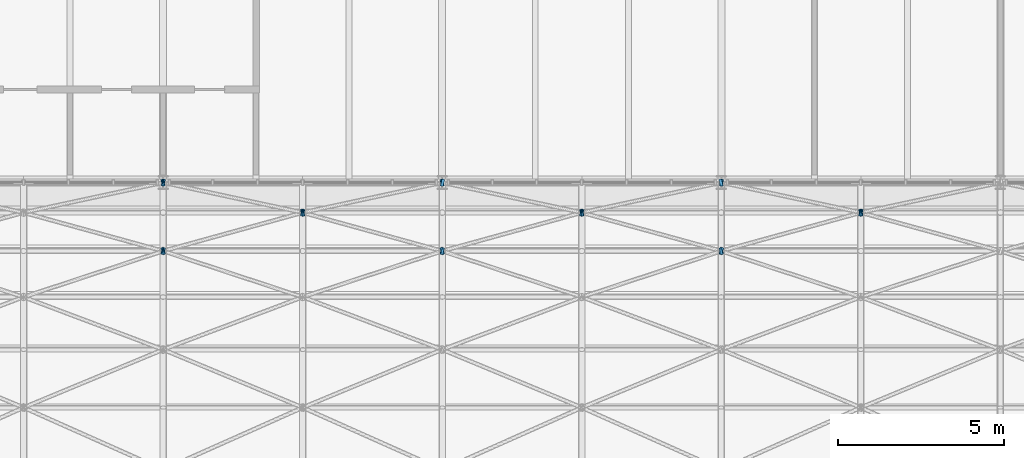
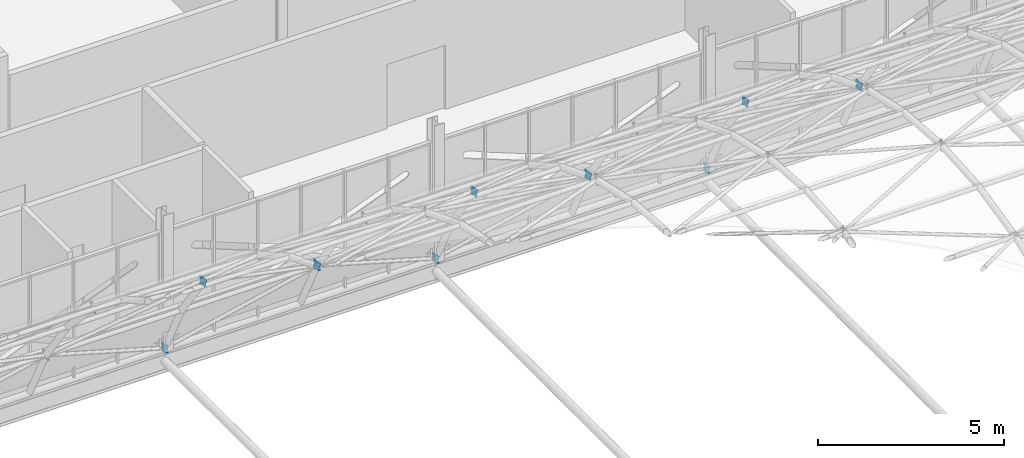
# One storey, part 115 of 121: 30 discrete accessories.
"""IFC4 building model written with IfcOpenShell, lengths in metres."""

from ifc_helpers import new_model, si_unit, direction, frame, origin, origin_2d, place, context, subcontext, project, spatial, rectangle, extrude, material, material_profile, profile_set, type_object, element, save


model = new_model("IFC4")

# Units and contexts
model_context = context("Model", 3, precision=1e-05, world=origin(), true_north=direction((0.0, 1.0)))
body_context = subcontext(model_context, "Body", "Model", "MODEL_VIEW")
ifc_project = project(units=[si_unit("LENGTHUNIT", "METRE"), si_unit("AREAUNIT", "SQUARE_METRE"), si_unit("VOLUMEUNIT", "CUBIC_METRE"), si_unit("PLANEANGLEUNIT", "RADIAN"), si_unit("MASSUNIT", "GRAM", prefix="KILO")], contexts=[model_context])

# Site, building, storey
site_placement = place(None, origin())
site = spatial("IfcSite", under=ifc_project, at=site_placement, CompositionType="ELEMENT")
building_placement = place(site_placement, origin())
building = spatial("IfcBuilding", under=site, at=building_placement, Name="Ardhachandra Cancer Care Centre", CompositionType="ELEMENT")
storey_placement = place(building_placement, frame((0.0, 0.0, 9.0)))
storey = spatial("IfcBuildingStorey", under=building, at=storey_placement, Name="L02", CompositionType="ELEMENT", Elevation=9.0)

# Discrete accessories
ifc_material = material(Name="Steel E250 (IS 2062)", Category="steel")
ifc_material_profile = material_profile(ifc_material, rectangle(XDim=0.21435546875, YDim=0.21435546875, at=origin_2d()), Name="PL 214x214x12")
ifc_profile_set = profile_set([ifc_material_profile], Name="Steel E250 (IS 2062)")
discrete_accessory_type = type_object("IfcDiscreteAccessoryType", Name="Diagonal end plate 214 x 214 x 12", PredefinedType="BRACKET", material=ifc_profile_set)
for number, where, z_axis, x_axis, name in (
    (1, (78.0, 77.738037109375, 3.426025390625), (-0.900777348936, -0.307083187137, 0.307083187137), (0.322673927788, -0.946510188179, 0.0), "Diagonal end plate Hall shell diagonal 07-13 2"),
    (2, (78.0, 77.738037109375, 3.426025390625), (-0.904003571195, 0.246546428508, -0.349274107053), (-0.263117405792, -0.964763821238, 0.0), "Diagonal end plate Hall shell diagonal 08-14 1"),
    (3, (78.0, 79.800048828125, 0.0), (-0.898708107226, -0.204251842551, 0.388078500848), (0.221621103589, -0.975132855791, 0.0), "Diagonal end plate Hall shell diagonal 07-15 2"),
    (4, (78.0, 77.738037109375, 3.426025390625), (0.900777348936, -0.307083187137, 0.307083187137), (0.322673927788, 0.946510188179, 0.0), "Diagonal end plate Hall shell diagonal 09-13 2"),
    (5, (78.0, 77.738037109375, 3.426025390625), (0.904003571195, 0.246546428508, -0.349274107053), (-0.263117405792, 0.964763821238, 0.0), "Diagonal end plate Hall shell diagonal 08-14 1"),
    (6, (82.199951171875, 78.89501953125, 1.788818359375), (-0.897398718093, -0.244745104934, 0.367117657402), (0.263117405792, -0.964763821238, 0.0), "Diagonal end plate Hall shell diagonal 08-14 2"),
    (7, (82.199951171875, 78.89501953125, 1.788818359375), (-0.905725666552, 0.205846742398, -0.370524136317), (-0.221621103589, -0.975132855791, 0.0), "Diagonal end plate Hall shell diagonal 09-15 1"),
    (8, (78.0, 79.800048828125, 0.0), (0.898708107226, -0.204251842551, 0.388078500848), (0.221621103589, 0.975132855791, 0.0), "Diagonal end plate Hall shell diagonal 09-15 2"),
    (9, (86.39990234375, 77.738037109375, 3.426025390625), (-0.900777348936, -0.307083187137, 0.307083187137), (0.322673927788, -0.946510188179, 0.0), "Diagonal end plate Hall shell diagonal 09-13 2"),
    (10, (86.39990234375, 77.738037109375, 3.426025390625), (-0.904003571195, 0.246546428508, -0.349274107053), (-0.263117405792, -0.964763821238, 0.0), "Diagonal end plate Hall shell diagonal 10-14 1"),
):
    element("IfcDiscreteAccessory", number, at=place(storey_placement, frame(where, z_axis=z_axis, x_axis=x_axis)), inside=storey, type_object=discrete_accessory_type, Name=name, PredefinedType="BRACKET", context=body_context, shape_type="SweptSolid", body=[
        extrude(rectangle(XDim=0.21435546875, YDim=0.21435546875, at=origin_2d()), origin(), (0.0, 0.0, 1.0), 0.011962890625),
    ])
discrete_accessory_1_placement = place(storey_placement, frame((82.199951171875, 78.89501953125, 1.788818359375), z_axis=(0.901262652189, -0.24033670725, 0.360505060876), x_axis=(0.25766265056, 0.966234939601, 0.0)))
element("IfcDiscreteAccessory", 11, at=discrete_accessory_1_placement, inside=storey, type_object=discrete_accessory_type, Name="Diagonal end plate Hall shell diagonal 10-14 2", PredefinedType="BRACKET", context=body_context, shape_type="SweptSolid", body=[
    extrude(rectangle(XDim=0.21435546875, YDim=0.21435546875, at=origin_2d()), origin(), (0.0, 0.0, 1.0), 0.01220703125),
])
for number, where, z_axis, x_axis, name in (
    (12, (82.199951171875, 78.89501953125, 1.788818359375), (0.909322885136, 0.202071752252, -0.363729154054), (-0.216930457819, 0.976187060184, 0.0), "Diagonal end plate Hall shell diagonal 09-15 1"),
    (13, (86.39990234375, 79.800048828125, 0.0), (-0.898708107226, -0.204251842551, 0.388078500848), (0.221621103589, -0.975132855791, 0.0), "Diagonal end plate Hall shell diagonal 09-15 2"),
):
    element("IfcDiscreteAccessory", number, at=place(storey_placement, frame(where, z_axis=z_axis, x_axis=x_axis)), inside=storey, type_object=discrete_accessory_type, Name=name, PredefinedType="BRACKET", context=body_context, shape_type="SweptSolid", body=[
        extrude(rectangle(XDim=0.21435546875, YDim=0.21435546875, at=origin_2d()), origin(), (0.0, 0.0, 1.0), 0.011962890625),
    ])
for number, where, z_axis, x_axis, name in (
    (14, (86.39990234375, 77.738037109375, 3.426025390625), (0.904534033733, -0.301511344578, 0.301511344578), (0.316227766017, 0.948683298051, 0.0), "Diagonal end plate Hall shell diagonal 11-13 2"),
    (15, (86.39990234375, 77.738037109375, 3.426025390625), (0.907656609489, 0.24204176253, -0.342892496918), (-0.25766265056, 0.966234939601, 0.0), "Diagonal end plate Hall shell diagonal 10-14 1"),
    (16, (90.60009765625, 78.89501953125, 1.788818359375), (-0.901262652189, -0.24033670725, 0.360505060876), (0.25766265056, -0.966234939601, 0.0), "Diagonal end plate Hall shell diagonal 10-14 2"),
):
    element("IfcDiscreteAccessory", number, at=place(storey_placement, frame(where, z_axis=z_axis, x_axis=x_axis)), inside=storey, type_object=discrete_accessory_type, Name=name, PredefinedType="BRACKET", context=body_context, shape_type="SweptSolid", body=[
        extrude(rectangle(XDim=0.21435546875, YDim=0.21435546875, at=origin_2d()), origin(), (0.0, 0.0, 1.0), 0.01220703125),
    ])
discrete_accessory_2_placement = place(storey_placement, frame((90.60009765625, 78.89501953125, 1.788818359375), z_axis=(-0.909322885136, 0.202071752252, -0.363729154054), x_axis=(-0.216930457819, -0.976187060184, 0.0)))
element("IfcDiscreteAccessory", 17, at=discrete_accessory_2_placement, inside=storey, type_object=discrete_accessory_type, Name="Diagonal end plate Hall shell diagonal 11-15 1", PredefinedType="BRACKET", context=body_context, shape_type="SweptSolid", body=[
    extrude(rectangle(XDim=0.21435546875, YDim=0.21435546875, at=origin_2d()), origin(), (0.0, 0.0, 1.0), 0.011962890625),
])
for number, where, z_axis, x_axis, name in (
    (18, (86.39990234375, 79.800048828125, 0.0), (0.902530633635, -0.20056236303, 0.381068489757), (0.216930457819, 0.976187060184, 0.0), "Diagonal end plate Hall shell diagonal 11-15 2"),
    (19, (94.800048828125, 77.738037109375, 3.426025390625), (-0.904534033733, -0.301511344578, 0.301511344578), (0.316227766017, -0.948683298051, 0.0), "Diagonal end plate Hall shell diagonal 11-13 2"),
    (20, (94.800048828125, 77.738037109375, 3.426025390625), (-0.907656609489, 0.24204176253, -0.342892496918), (-0.25766265056, -0.966234939601, 0.0), "Diagonal end plate Hall shell diagonal 12-14 1"),
):
    element("IfcDiscreteAccessory", number, at=place(storey_placement, frame(where, z_axis=z_axis, x_axis=x_axis)), inside=storey, type_object=discrete_accessory_type, Name=name, PredefinedType="BRACKET", context=body_context, shape_type="SweptSolid", body=[
        extrude(rectangle(XDim=0.21435546875, YDim=0.21435546875, at=origin_2d()), origin(), (0.0, 0.0, 1.0), 0.01220703125),
    ])
for number, where, z_axis, x_axis, name in (
    (21, (90.60009765625, 78.89501953125, 1.788818359375), (0.897398718093, -0.244745104934, 0.367117657402), (0.263117405792, 0.964763821238, 0.0), "Diagonal end plate Hall shell diagonal 12-14 2"),
    (22, (90.60009765625, 78.89501953125, 1.788818359375), (0.905725666552, 0.205846742398, -0.370524136317), (-0.221621103589, 0.975132855791, 0.0), "Diagonal end plate Hall shell diagonal 11-15 1"),
):
    element("IfcDiscreteAccessory", number, at=place(storey_placement, frame(where, z_axis=z_axis, x_axis=x_axis)), inside=storey, type_object=discrete_accessory_type, Name=name, PredefinedType="BRACKET", context=body_context, shape_type="SweptSolid", body=[
        extrude(rectangle(XDim=0.21435546875, YDim=0.21435546875, at=origin_2d()), origin(), (0.0, 0.0, 1.0), 0.011962890625),
    ])
discrete_accessory_3_placement = place(storey_placement, frame((94.800048828125, 79.800048828125, 0.0), z_axis=(-0.902530633635, -0.20056236303, 0.381068489757), x_axis=(0.216930457819, -0.976187060184, 0.0)))
element("IfcDiscreteAccessory", 23, at=discrete_accessory_3_placement, inside=storey, type_object=discrete_accessory_type, Name="Diagonal end plate Hall shell diagonal 11-15 2", PredefinedType="BRACKET", context=body_context, shape_type="SweptSolid", body=[
    extrude(rectangle(XDim=0.21435546875, YDim=0.21435546875, at=origin_2d()), origin(), (0.0, 0.0, 1.0), 0.01220703125),
])
for number, where, z_axis, x_axis, name in (
    (24, (94.800048828125, 77.738037109375, 3.426025390625), (0.900777348936, -0.307083187137, 0.307083187137), (0.322673927788, 0.946510188179, 0.0), "Diagonal end plate Hall shell diagonal 13-13 2"),
    (25, (94.800048828125, 77.738037109375, 3.426025390625), (0.904003571195, 0.246546428508, -0.349274107053), (-0.263117405792, 0.964763821238, 0.0), "Diagonal end plate Hall shell diagonal 12-14 1"),
    (26, (99.0, 78.89501953125, 1.788818359375), (-0.897398718093, -0.244745104934, 0.367117657402), (0.263117405792, -0.964763821238, 0.0), "Diagonal end plate Hall shell diagonal 12-14 2"),
    (27, (99.0, 78.89501953125, 1.788818359375), (-0.905725666552, 0.205846742398, -0.370524136317), (-0.221621103589, -0.975132855791, 0.0), "Diagonal end plate Hall shell diagonal 13-15 1"),
    (28, (94.800048828125, 79.800048828125, 0.0), (0.898708107226, -0.204251842551, 0.388078500848), (0.221621103589, 0.975132855791, 0.0), "Diagonal end plate Hall shell diagonal 13-15 2"),
    (29, (99.0, 78.89501953125, 1.788818359375), (0.897398718093, -0.244745104934, 0.367117657402), (0.263117405792, 0.964763821238, 0.0), "Diagonal end plate Hall shell diagonal 14-14 2"),
    (30, (99.0, 78.89501953125, 1.788818359375), (0.905725666552, 0.205846742398, -0.370524136317), (-0.221621103589, 0.975132855791, 0.0), "Diagonal end plate Hall shell diagonal 13-15 1"),
):
    element("IfcDiscreteAccessory", number, at=place(storey_placement, frame(where, z_axis=z_axis, x_axis=x_axis)), inside=storey, type_object=discrete_accessory_type, Name=name, PredefinedType="BRACKET", context=body_context, shape_type="SweptSolid", body=[
        extrude(rectangle(XDim=0.21435546875, YDim=0.21435546875, at=origin_2d()), origin(), (0.0, 0.0, 1.0), 0.011962890625),
    ])

save(model, "model.ifc")
